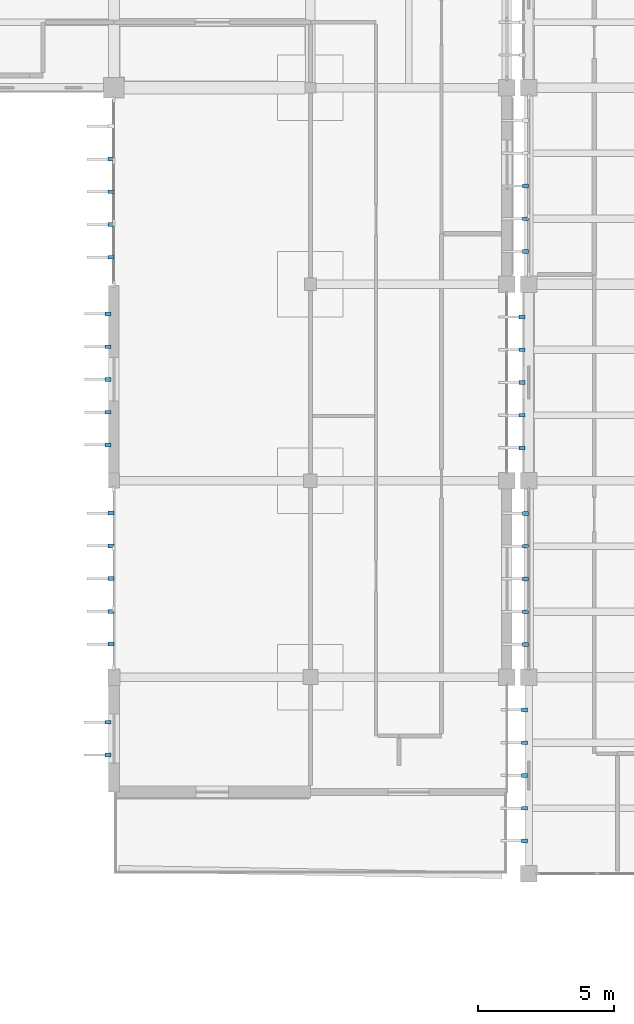
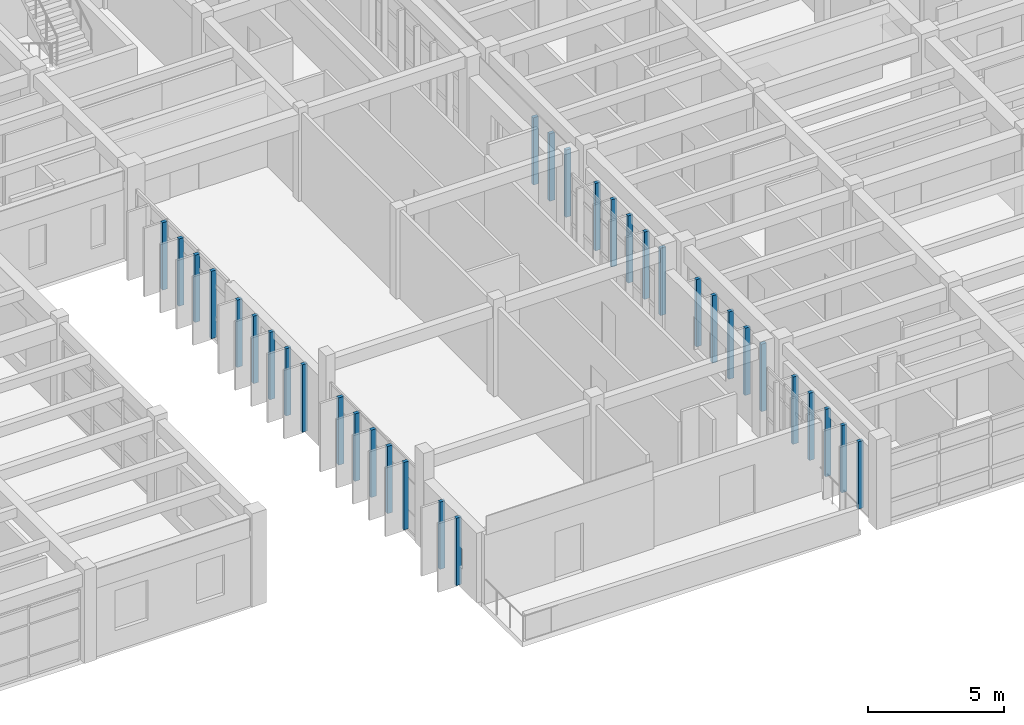
# One storey, part 46 of 55: 34 discrete accessories.
"""IFC4 building model written with IfcOpenShell, lengths in metres."""

from ifc_helpers import new_model, si_unit, direction, frame, origin, origin_2d, place, context, subcontext, project, spatial, rectangle, extrude, material, type_object, element, save


model = new_model("IFC4")

# Units and contexts
model_context = context("Model", 3, precision=1e-05, world=origin(), true_north=direction((0.0, 1.0)))
body_context = subcontext(model_context, "Body", "Model", "MODEL_VIEW")
ifc_project = project(units=[si_unit("LENGTHUNIT", "METRE"), si_unit("AREAUNIT", "SQUARE_METRE"), si_unit("VOLUMEUNIT", "CUBIC_METRE"), si_unit("PLANEANGLEUNIT", "RADIAN"), si_unit("MASSUNIT", "GRAM", prefix="KILO")], contexts=[model_context])

# Site, building, storey
site_placement = place(None, origin())
site = spatial("IfcSite", under=ifc_project, at=site_placement, CompositionType="ELEMENT")
building_placement = place(site_placement, origin())
building = spatial("IfcBuilding", under=site, at=building_placement, Name="Steenspoor Specialist Clinic", CompositionType="ELEMENT")
storey_placement = place(building_placement, frame((0.0, 0.0, 13.199951171875)))
storey = spatial("IfcBuildingStorey", under=building, at=storey_placement, Name="L03", CompositionType="ELEMENT", Elevation=13.199951171875)

# Discrete accessories
ifc_material = material(Name="Galvanised steel mounting bracket", Category="steel")
discrete_accessory_type = type_object("IfcDiscreteAccessoryType", Name="ACC-BRACKET-FIN", PredefinedType="BRACKET", material=ifc_material)
for number, where, z_axis, x_axis, name in (
    (1, (102.574951171875, 69.5, 0.0498046875), (0.0, 0.0, 1.0), (-1.0, 0.0, 0.0), "Fin Mounting Bracket 91"),
    (2, (102.574951171875, 70.699951171875, 0.0498046875), (0.0, 0.0, 1.0), (-1.0, 0.0, 0.0), "Fin Mounting Bracket 92"),
    (3, (102.68994140625, 73.5625, 0.0498046875), (0.0, 0.0, 1.0), (-1.0, 0.0, 0.0), "Fin Mounting Bracket 93"),
    (4, (102.68994140625, 74.762451171875, 0.0498046875), (0.0, 0.0, 1.0), (-1.0, 0.0, 0.0), "Fin Mounting Bracket 94"),
    (5, (102.68994140625, 75.96240234375, 0.0498046875), (0.0, 0.0, 1.0), (-1.0, 0.0, 0.0), "Fin Mounting Bracket 95"),
    (6, (102.68994140625, 77.16259765625, 0.0498046875), (0.0, 0.0, 1.0), (-1.0, 0.0, 0.0), "Fin Mounting Bracket 96"),
    (7, (102.68994140625, 78.362548828125, 0.0498046875), (0.0, 0.0, 1.0), (-1.0, 0.0, 0.0), "Fin Mounting Bracket 97"),
    (8, (102.590087890625, 80.862548828125, 0.0498046875), (0.0, 0.0, 1.0), (-1.0, 0.0, 0.0), "Fin Mounting Bracket 98"),
    (9, (102.590087890625, 82.0625, 0.0498046875), (0.0, 0.0, 1.0), (-1.0, 0.0, 0.0), "Fin Mounting Bracket 99"),
    (10, (102.590087890625, 83.262451171875, 0.0498046875), (0.0, 0.0, 1.0), (-1.0, 0.0, 0.0), "Fin Mounting Bracket 100"),
    (11, (102.590087890625, 84.46240234375, 0.0498046875), (0.0, 0.0, 1.0), (-1.0, 0.0, 0.0), "Fin Mounting Bracket 101"),
    (12, (102.590087890625, 85.66259765625, 0.0498046875), (0.0, 0.0, 1.0), (-1.0, 0.0, 0.0), "Fin Mounting Bracket 102"),
    (13, (102.68994140625, 87.737548828125, 0.0498046875), (0.0, 0.0, 1.0), (-1.0, 0.0, 0.0), "Fin Mounting Bracket 103"),
    (14, (102.68994140625, 88.9375, 0.0498046875), (0.0, 0.0, 1.0), (-1.0, 0.0, 0.0), "Fin Mounting Bracket 104"),
    (15, (102.68994140625, 90.137451171875, 0.0498046875), (0.0, 0.0, 1.0), (-1.0, 0.0, 0.0), "Fin Mounting Bracket 105"),
    (16, (102.68994140625, 91.33740234375, 0.0498046875), (0.0, 0.0, 1.0), (-1.0, 0.0, 0.0), "Fin Mounting Bracket 106"),
    (17, (117.85009765625, 66.35009765625, 0.0498046875), (0.0, 0.0, 1.0), (-1.0, 0.0, 0.0), "Fin Mounting Bracket 180"),
    (18, (117.85009765625, 67.550048828125, 0.0498046875), (0.0, 0.0, 1.0), (-1.0, 0.0, 0.0), "Fin Mounting Bracket 181"),
    (19, (117.85009765625, 68.75, 0.0498046875), (0.0, 0.0, 1.0), (-1.0, 0.0, 0.0), "Fin Mounting Bracket 182"),
    (20, (117.85009765625, 69.949951171875, 0.0498046875), (0.0, 0.0, 1.0), (-1.0, 0.0, 0.0), "Fin Mounting Bracket 183"),
    (21, (117.85009765625, 71.14990234375, 0.0498046875), (0.0, 0.0, 1.0), (-1.0, 0.0, 0.0), "Fin Mounting Bracket 184"),
    (22, (117.889892578125, 73.550048828125, 0.0498046875), (0.0, 0.0, 1.0), (-1.0, 0.0, 0.0), "Fin Mounting Bracket 185"),
    (23, (117.889892578125, 74.75, 0.0498046875), (0.0, 0.0, 1.0), (-1.0, 0.0, 0.0), "Fin Mounting Bracket 186"),
    (24, (117.889892578125, 75.949951171875, 0.0498046875), (0.0, 0.0, 1.0), (-1.0, 0.0, 0.0), "Fin Mounting Bracket 187"),
    (25, (117.889892578125, 77.14990234375, 0.0498046875), (0.0, 0.0, 1.0), (-1.0, 0.0, 0.0), "Fin Mounting Bracket 188"),
    (26, (117.889892578125, 78.35009765625, 0.0498046875), (0.0, 0.0, 1.0), (-1.0, 0.0, 0.0), "Fin Mounting Bracket 189"),
    (27, (117.760009765625, 80.75, 0.0498046875), (0.0, 0.0, 1.0), (-1.0, 0.0, 0.0), "Fin Mounting Bracket 190"),
    (28, (117.760009765625, 81.949951171875, 0.0498046875), (0.0, 0.0, 1.0), (-1.0, 0.0, 0.0), "Fin Mounting Bracket 191"),
    (29, (117.760009765625, 83.14990234375, 0.0498046875), (0.0, 0.0, 1.0), (-1.0, 0.0, 0.0), "Fin Mounting Bracket 192"),
    (30, (117.760009765625, 84.35009765625, 0.0498046875), (0.0, 0.0, 1.0), (-1.0, 0.0, 0.0), "Fin Mounting Bracket 193"),
    (31, (117.760009765625, 85.550048828125, 0.0498046875), (0.0, 0.0, 1.0), (-1.0, 0.0, 0.0), "Fin Mounting Bracket 194"),
    (32, (117.889892578125, 87.949951171875, 0.0498046875), (0.0, 0.0, 1.0), (-1.0, 0.0, 0.0), "Fin Mounting Bracket 195"),
    (33, (117.889892578125, 89.14990234375, 0.0498046875), (0.0, 0.0, 1.0), (-1.0, 0.0, 0.0), "Fin Mounting Bracket 196"),
    (34, (117.889892578125, 90.35009765625, 0.0498046875), (0.0, 0.0, 1.0), (-1.0, 0.0, 0.0), "Fin Mounting Bracket 197"),
):
    element("IfcDiscreteAccessory", number, at=place(storey_placement, frame(where, z_axis=z_axis, x_axis=x_axis)), inside=storey, type_object=discrete_accessory_type, Name=name, PredefinedType="BRACKET", context=body_context, shape_type="SweptSolid", body=[
        extrude(rectangle(XDim=0.219970703125, YDim=0.139892578125, at=origin_2d()), origin(), (0.0, 0.0, 1.0), 3.030029296875),
    ])

save(model, "model.ifc")
